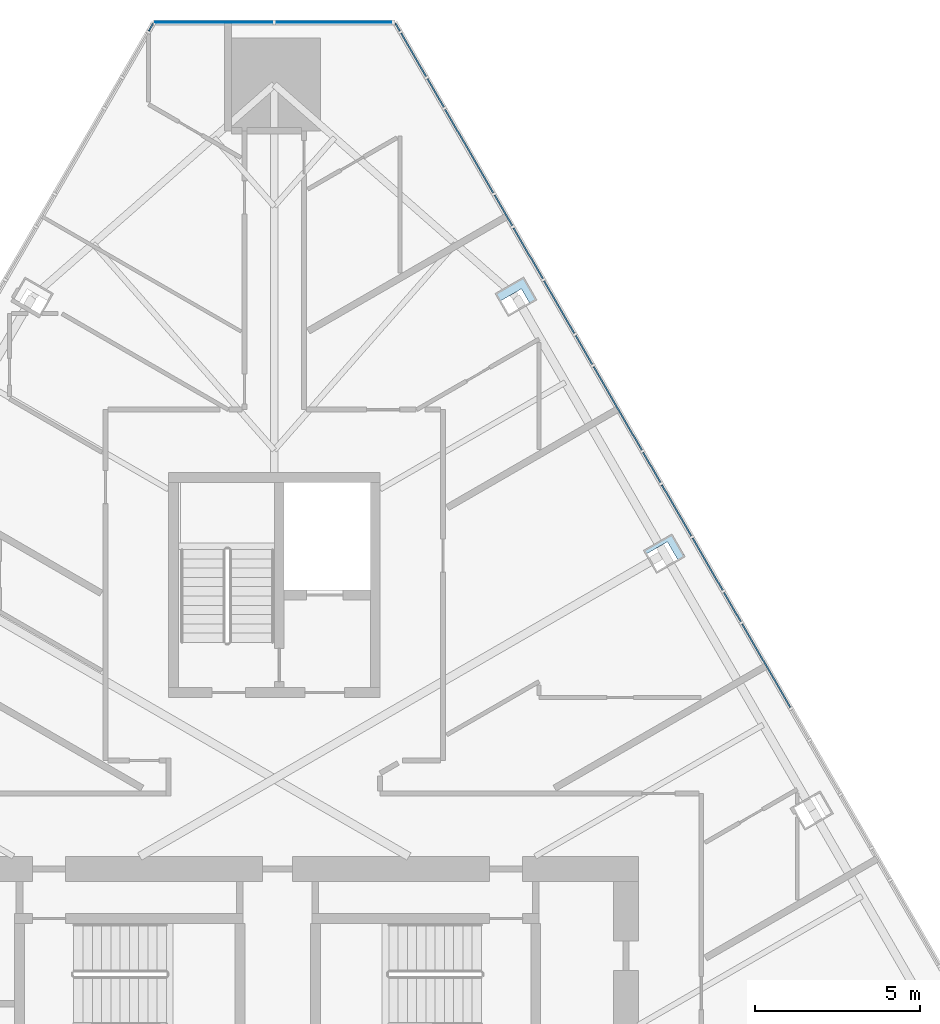
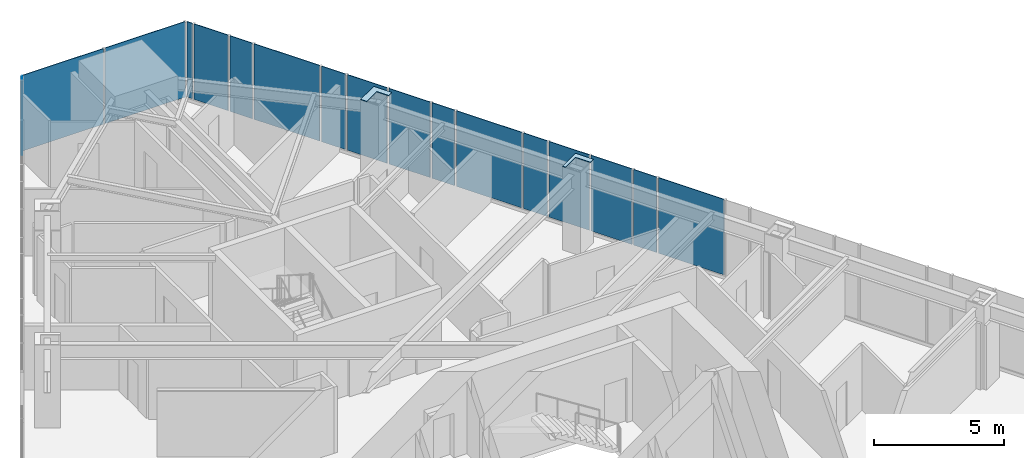
# One storey, part 18 of 26: 20 plates, 3 elements without a shape of their own.
"""IFC4 building model written with IfcOpenShell, lengths in metres."""

from ifc_helpers import new_model, si_unit, direction, frame, origin, place, context, subcontext, project, spatial, polyline, outline, extrude, material, layer, layer_set, type_object, element, aggregate, save


model = new_model("IFC4")

# Units and contexts
model_context = context("Model", 3, precision=1e-05, world=origin(), true_north=direction((0.0, 1.0)))
body_context = subcontext(model_context, "Body", "Model", "MODEL_VIEW")
ifc_project = project(units=[si_unit("LENGTHUNIT", "METRE"), si_unit("AREAUNIT", "SQUARE_METRE"), si_unit("VOLUMEUNIT", "CUBIC_METRE"), si_unit("PLANEANGLEUNIT", "RADIAN"), si_unit("MASSUNIT", "GRAM", prefix="KILO")], contexts=[model_context])

# Site, building, storey
site_placement = place(None, origin())
site = spatial("IfcSite", under=ifc_project, at=site_placement, CompositionType="ELEMENT")
building_placement = place(site_placement, origin())
building = spatial("IfcBuilding", under=site, at=building_placement, Name="Firuza Gate Tower and Library", CompositionType="ELEMENT")
storey_placement = place(building_placement, frame((0.0, 0.0, 175.300048828125)))
storey = spatial("IfcBuildingStorey", under=building, at=storey_placement, Name="L40", CompositionType="ELEMENT", Elevation=175.300048828125)

# Plates
ifc_material_1 = material(Name="Steel S355", Category="steel")
ifc_layer_1 = layer(ifc_material_1, 0.030029296875)
ifc_layer_set_1 = layer_set([ifc_layer_1], Name="Column infill plate 30 Steel S355")
plate_type_1 = type_object("IfcPlateType", Name="Column infill plate 30 Steel S355", PredefinedType="SHEET", material=ifc_layer_set_1)
placement_1 = place(storey_placement, frame((0.0, 0.0, 3.89990234375)))
element("IfcPlate", 1, at=placement_1, inside=storey, type_object=plate_type_1, Name="Infill plate L40:E4", PredefinedType="SHEET", context=body_context, shape_type="SweptSolid", body=[
    extrude(outline(polyline([(86.1494140625, 92.247314453125), (86.218505859375, 92.1279296875), (86.87744140625, 92.50830078125), (87.20849609375, 91.93505859375), (87.41552734375, 92.0546875), (87.015625, 92.747314453125), (86.1494140625, 92.247314453125)])), origin(), (0.0, 0.0, 1.0), 0.030029296875),
])
element("IfcPlate", 2, at=placement_1, inside=storey, type_object=plate_type_1, Name="Infill plate L40:E5", PredefinedType="SHEET", context=body_context, shape_type="SweptSolid", body=[
    extrude(outline(polyline([(81.66845703125, 100.008544921875), (81.806640625, 99.76953125), (82.465576171875, 100.14990234375), (82.7275390625, 99.6962890625), (82.9345703125, 99.81591796875), (82.53466796875, 100.508544921875), (81.66845703125, 100.008544921875)])), origin(), (0.0, 0.0, 1.0), 0.030029296875),
])

# Curtain wall, plates
ifc_material_2 = material(Name="Aluminium 6063-T6", Category="aluminium")
ifc_layer_2 = layer(ifc_material_2, 0.14990234375)
ifc_layer_set_2 = layer_set([ifc_layer_2], Name="Corner curtain wall, chamfers")
curtain_wall_type_1 = type_object("IfcCurtainWallType", Name="Corner curtain wall, chamfers", PredefinedType="NOTDEFINED", material=ifc_layer_set_2)
placement_2 = place(storey_placement, origin())
curtain_wall_1 = element("IfcCurtainWall", 3, at=placement_2, inside=storey, type_object=curtain_wall_type_1, Name="CW4 L40 N corner", PredefinedType="NOTDEFINED")
ifc_material_3 = material(Name="Fritted glass", Category="glass")
ifc_layer_3 = layer(ifc_material_3, 0.030029296875)
ifc_layer_set_3 = layer_set([ifc_layer_3], Name="Fritted glass unit, corners")
plate_type_2 = type_object("IfcPlateType", Name="Fritted glass unit, corners", PredefinedType="CURTAIN_PANEL", material=ifc_layer_set_3)
plate_3_placement = place(storey_placement, frame((78.603271484375, 108.21337890625, 0.14990234375), z_axis=(0.0, 1.0, 0.0), x_axis=(-1.0, 0.0, 0.0)))
plate_3 = element("IfcPlate", 4, at=plate_3_placement, type_object=plate_type_2, Name="Glass unit", PredefinedType="CURTAIN_PANEL", context=body_context, shape_type="SweptSolid", body=[
    extrude(outline(polyline([(0.0, 0.0), (3.563232421875, 0.0), (3.563232421875, 3.550048828125), (0.0, 3.550048828125), (0.0, 0.0)])), origin(), (0.0, 0.0, -1.0), 0.030029296875),
])
plate_4_placement = place(storey_placement, frame((74.9599609375, 108.21337890625, 0.14990234375), z_axis=(0.0, 1.0, 0.0), x_axis=(-1.0, 0.0, 0.0)))
plate_4 = element("IfcPlate", 5, at=plate_4_placement, type_object=plate_type_2, Name="Glass unit", PredefinedType="CURTAIN_PANEL", context=body_context, shape_type="SweptSolid", body=[
    extrude(outline(polyline([(0.0, 0.0), (3.563232421875, 0.0), (3.563232421875, 3.550048828125), (0.0, 3.550048828125), (0.0, 0.0)])), origin(), (0.0, 0.0, -1.0), 0.030029296875),
])
aggregate(curtain_wall_1, [plate_3, plate_4])

ifc_material_4 = material(Name="Aluminium 6063-T6", Category="aluminium")
ifc_layer_4 = layer(ifc_material_4, 0.14990234375)
ifc_layer_set_4 = layer_set([ifc_layer_4], Name="Unitised curtain wall, hotel")
curtain_wall_type_2 = type_object("IfcCurtainWallType", Name="Unitised curtain wall, hotel", PredefinedType="NOTDEFINED", material=ifc_layer_set_4)
curtain_wall_2 = element("IfcCurtainWall", 6, at=placement_2, inside=storey, type_object=curtain_wall_type_2, Name="CW2 L40 E face", PredefinedType="NOTDEFINED")
ifc_material_5 = material(Name="Fritted glass", Category="glass")
ifc_layer_5 = layer(ifc_material_5, 0.030029296875)
ifc_layer_set_5 = layer_set([ifc_layer_5], Name="Fritted glass unit, hotel")
plate_type_3 = type_object("IfcPlateType", Name="Fritted glass unit, hotel", PredefinedType="CURTAIN_PANEL", material=ifc_layer_set_5)
plate_5_placement = place(storey_placement, frame((88.558837890625, 91.05419921875, 0.14990234375), z_axis=(0.8660128559, 0.500021732944, 0.0), x_axis=(-0.500021732944, 0.8660128559, 0.0)))
plate_5 = element("IfcPlate", 7, at=plate_5_placement, type_object=plate_type_3, Name="Glass unit", PredefinedType="CURTAIN_PANEL", context=body_context, shape_type="SweptSolid", body=[
    extrude(outline(polyline([(0.0, 0.0), (1.8124212215009186, 0.0), (1.8124212215009186, 3.550048828125), (0.0, 3.550048828125), (0.0, 0.0)])), origin(), (0.0, 0.0, -1.0), 0.030029296875),
])
plate_6_placement = place(storey_placement, frame((87.612548828125, 92.693115234375, 0.14990234375), z_axis=(0.866078457704, 0.499908096655, 0.0), x_axis=(-0.499908096655, 0.866078457704, 0.0)))
plate_6 = element("IfcPlate", 8, at=plate_6_placement, type_object=plate_type_3, Name="Glass unit", PredefinedType="CURTAIN_PANEL", context=body_context, shape_type="SweptSolid", body=[
    extrude(outline(polyline([(0.0, 0.0), (1.7835309499210616, 0.0), (1.7835309499210616, 3.550048828125001), (0.0, 3.550048828125001), (0.0, 0.0)])), origin(), (0.0, 0.0, -1.0), 0.030029296875),
])
plate_7_placement = place(storey_placement, frame((84.077880859375, 98.8154296875, 0.14990234375), z_axis=(0.866072102183, 0.499919107277, 0.0), x_axis=(-0.499919107277, 0.866072102183, 0.0)))
plate_7 = element("IfcPlate", 9, at=plate_7_placement, type_object=plate_type_3, Name="Glass unit", PredefinedType="CURTAIN_PANEL", context=body_context, shape_type="SweptSolid", body=[
    extrude(outline(polyline([(0.0, 0.0), (1.8269557310962177, 0.0), (1.8269557310962177, 3.550048828125), (0.0, 3.550048828125), (0.0, 0.0)])), origin(), (0.0, 0.0, -1.0), 0.030029296875),
])
plate_8_placement = place(storey_placement, frame((83.12451171875, 100.466796875, 0.14990234375), z_axis=(0.866052308806, 0.49995339624, 0.0), x_axis=(-0.49995339624, 0.866052308806, 0.0)))
plate_8 = element("IfcPlate", 10, at=plate_8_placement, type_object=plate_type_3, Name="Glass unit", PredefinedType="CURTAIN_PANEL", context=body_context, shape_type="SweptSolid", body=[
    extrude(outline(polyline([(0.0, 0.0), (1.7692078722274327, 0.0), (1.7692078722274327, 3.550048828125001), (0.0, 3.550048828125001), (0.0, 0.0)])), origin(), (0.0, 0.0, -1.0), 0.030029296875),
])
plate_9_placement = place(storey_placement, frame((79.596923828125, 106.57666015625, 0.14990234375), z_axis=(0.866015980925, 0.500016320516, 0.0), x_axis=(-0.500016320516, 0.866015980925, 0.0)))
plate_9 = element("IfcPlate", 11, at=plate_9_placement, type_object=plate_type_3, Name="Glass unit", PredefinedType="CURTAIN_PANEL", context=body_context, shape_type="SweptSolid", body=[
    extrude(outline(polyline([(0.0, 0.0), (1.5102046116141798, 0.0), (1.5102046116141798, 3.550048828125), (0.0, 3.550048828125), (0.0, 0.0)])), origin(), (0.0, 0.0, -1.0), 0.030029296875),
])
ifc_material_6 = material(Name="Glazed ceramic tile")
ifc_layer_6 = layer(ifc_material_6, 0.030029296875)
ifc_layer_set_6 = layer_set([ifc_layer_6], Name="Opaque ceramic panel, hotel")
plate_type_4 = type_object("IfcPlateType", Name="Opaque ceramic panel, hotel", PredefinedType="CURTAIN_PANEL", material=ifc_layer_set_6)
plate_10_placement = place(storey_placement, frame((90.604736328125, 87.510498046875, 0.14990234375), z_axis=(0.866026430432, 0.49999822179, 0.0), x_axis=(-0.49999822179, 0.866026430432, 0.0)))
plate_10 = element("IfcPlate", 12, at=plate_10_placement, type_object=plate_type_4, Name="Opaque ceramic panel", PredefinedType="CURTAIN_PANEL", context=body_context, shape_type="SweptSolid", body=[
    extrude(outline(polyline([(0.0, 0.0), (2.9121197317183585, 0.0), (2.9121197317183585, 3.550048828125), (0.0, 3.550048828125), (0.0, 0.0)])), origin(), (0.0, 0.0, -1.0), 0.030029296875),
])
plate_11_placement = place(storey_placement, frame((89.108642578125, 90.101806640625, 0.14990234375), z_axis=(0.866054010271, 0.499950448838, 0.0), x_axis=(-0.499950448838, 0.866054010271, 0.0)))
plate_11 = element("IfcPlate", 13, at=plate_11_placement, type_object=plate_type_4, Name="Opaque ceramic panel", PredefinedType="CURTAIN_PANEL", context=body_context, shape_type="SweptSolid", body=[
    extrude(outline(polyline([(0.0, 0.0), (1.0196322979307544, 0.0), (1.0196322979307544, 3.550048828125), (0.0, 3.550048828125), (0.0, 0.0)])), origin(), (0.0, 0.0, -1.0), 0.030029296875),
])
plate_12_placement = place(storey_placement, frame((86.680908203125, 94.30712890625, 0.14990234375), z_axis=(0.865941269335, 0.500145696835, 0.0), x_axis=(-0.500145696835, 0.865941269335, 0.0)))
plate_12 = element("IfcPlate", 14, at=plate_12_placement, type_object=plate_type_4, Name="Opaque ceramic panel", PredefinedType="CURTAIN_PANEL", context=body_context, shape_type="SweptSolid", body=[
    extrude(outline(polyline([(0.0, 0.0), (1.0485225921528996, 0.0), (1.0485225921528996, 3.550048828125), (0.0, 3.550048828125), (0.0, 0.0)])), origin(), (0.0, 0.0, -1.0), 0.030029296875),
])
plate_13_placement = place(storey_placement, frame((86.11669921875, 95.284423828125, 0.14990234375), z_axis=(0.866026430432, 0.49999822179, 0.0), x_axis=(-0.49999822179, 0.866026430432, 0.0)))
plate_13 = element("IfcPlate", 15, at=plate_13_placement, type_object=plate_type_4, Name="Opaque ceramic panel", PredefinedType="CURTAIN_PANEL", context=body_context, shape_type="SweptSolid", body=[
    extrude(outline(polyline([(0.0, 0.0), (2.9121197317183585, 0.0), (2.9121197317183585, 3.550048828125), (0.0, 3.550048828125), (0.0, 0.0)])), origin(), (0.0, 0.0, -1.0), 0.030029296875),
])
plate_14_placement = place(storey_placement, frame((84.62060546875, 97.875732421875, 0.14990234375), z_axis=(0.86594689844, 0.5001359506, 0.0), x_axis=(-0.5001359506, 0.86594689844, 0.0)))
plate_14 = element("IfcPlate", 16, at=plate_14_placement, type_object=plate_type_4, Name="Opaque ceramic panel", PredefinedType="CURTAIN_PANEL", context=body_context, shape_type="SweptSolid", body=[
    extrude(outline(polyline([(0.0, 0.0), (1.0050978064509601, 0.0), (1.0050978064509601, 3.550048828125), (0.0, 3.550048828125), (0.0, 0.0)])), origin(), (0.0, 0.0, -1.0), 0.030029296875),
])
plate_15_placement = place(storey_placement, frame((82.199951171875, 102.068359375, 0.14990234375), z_axis=(0.865986661026, 0.500067098423, 0.0), x_axis=(-0.500067098423, 0.865986661026, 0.0)))
plate_15 = element("IfcPlate", 17, at=plate_15_placement, type_object=plate_type_4, Name="Opaque ceramic panel", PredefinedType="CURTAIN_PANEL", context=body_context, shape_type="SweptSolid", body=[
    extrude(outline(polyline([(0.0, 0.0), (1.0628456507164419, 0.0), (1.0628456507164419, 3.550048828125), (0.0, 3.550048828125), (0.0, 0.0)])), origin(), (0.0, 0.0, -1.0), 0.030029296875),
])
plate_16_placement = place(storey_placement, frame((81.62841796875, 103.05810546875, 0.14990234375), z_axis=(0.866026430432, 0.49999822179, 0.0), x_axis=(-0.49999822179, 0.866026430432, 0.0)))
plate_16 = element("IfcPlate", 18, at=plate_16_placement, type_object=plate_type_4, Name="Opaque ceramic panel", PredefinedType="CURTAIN_PANEL", context=body_context, shape_type="SweptSolid", body=[
    extrude(outline(polyline([(0.0, 0.0), (2.9121197317183585, 0.0), (2.9121197317183585, 3.550048828125), (0.0, 3.550048828125), (0.0, 0.0)])), origin(), (0.0, 0.0, -1.0), 0.030029296875),
])
plate_17_placement = place(storey_placement, frame((80.13232421875, 105.6494140625, 0.14990234375), z_axis=(0.866005004348, 0.500035331196, 0.0), x_axis=(-0.500035331196, 0.866005004348, 0.0)))
plate_17 = element("IfcPlate", 19, at=plate_17_placement, type_object=plate_type_4, Name="Opaque ceramic panel", PredefinedType="CURTAIN_PANEL", context=body_context, shape_type="SweptSolid", body=[
    extrude(outline(polyline([(0.0, 0.0), (0.9906526543641133, 0.0), (0.9906526543641133, 3.550048828125), (0.0, 3.550048828125), (0.0, 0.0)])), origin(), (0.0, 0.0, -1.0), 0.030029296875),
])
plate_18_placement = place(storey_placement, frame((78.802001953125, 107.953857421875, 0.14990234375), z_axis=(0.865780878536, 0.500423291185, 0.0), x_axis=(-0.500423291185, 0.865780878536, 0.0)))
plate_18 = element("IfcPlate", 20, at=plate_18_placement, type_object=plate_type_4, Name="Opaque ceramic panel", PredefinedType="CURTAIN_PANEL", context=body_context, shape_type="SweptSolid", body=[
    extrude(outline(polyline([(0.0, 0.0), (0.2512521381192305, 0.0), (0.2512521381192305, 3.550048828125), (0.0, 3.550048828125), (0.0, 0.0)])), origin(), (0.0, 0.0, -1.0), 0.030029296875),
])
aggregate(curtain_wall_2, [plate_10, plate_11, plate_5, plate_6, plate_12, plate_13, plate_14, plate_7, plate_8, plate_15, plate_16, plate_17, plate_9, plate_18])

curtain_wall_3 = element("IfcCurtainWall", 21, at=placement_2, inside=storey, type_object=curtain_wall_type_2, Name="CW2 L40 W face", PredefinedType="NOTDEFINED")
plate_19_placement = place(storey_placement, frame((71.32373046875, 108.17138671875, 0.14990234375), z_axis=(-0.865780878536, 0.500423291185, 0.0), x_axis=(-0.500423291185, -0.865780878536, 0.0)))
plate_19 = element("IfcPlate", 22, at=plate_19_placement, type_object=plate_type_4, Name="Opaque ceramic panel", PredefinedType="CURTAIN_PANEL", context=body_context, shape_type="SweptSolid", body=[
    extrude(outline(polyline([(0.0, 0.0), (0.2512521381192305, 0.0), (0.2512521381192305, 1.735107421875), (0.0, 1.735107421875), (0.0, 0.0)])), origin(), (0.0, 0.0, -1.0), 0.030029296875),
])
plate_20_placement = place(storey_placement, frame((71.32373046875, 108.17138671875, 1.96484375), z_axis=(-0.865780878536, 0.500423291185, 0.0), x_axis=(-0.500423291185, -0.865780878536, 0.0)))
plate_20 = element("IfcPlate", 23, at=plate_20_placement, type_object=plate_type_4, Name="Opaque ceramic panel", PredefinedType="CURTAIN_PANEL", context=body_context, shape_type="SweptSolid", body=[
    extrude(outline(polyline([(0.0, 0.0), (0.2512521381192305, 0.0), (0.2512521381192305, 1.735107421875), (0.0, 1.735107421875), (0.0, 0.0)])), origin(), (0.0, 0.0, -1.0), 0.030029296875),
])
aggregate(curtain_wall_3, [plate_19, plate_20])

save(model, "model.ifc")
